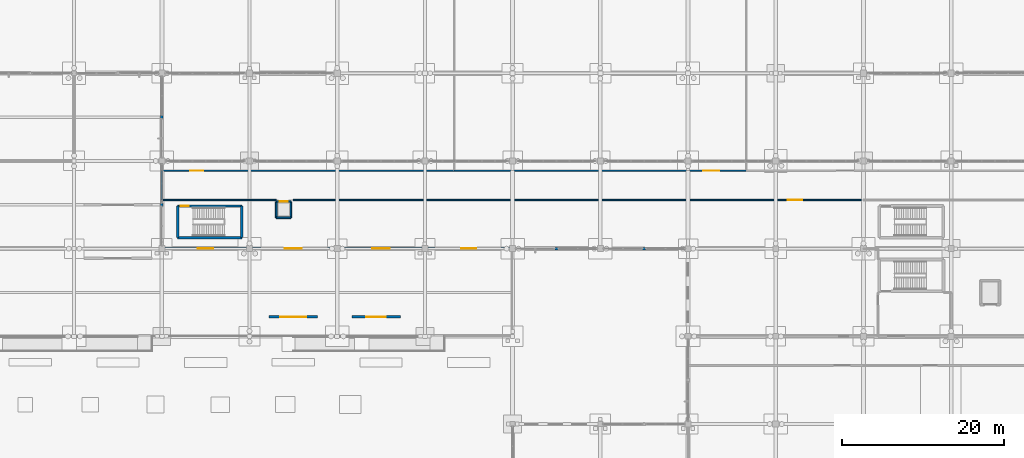
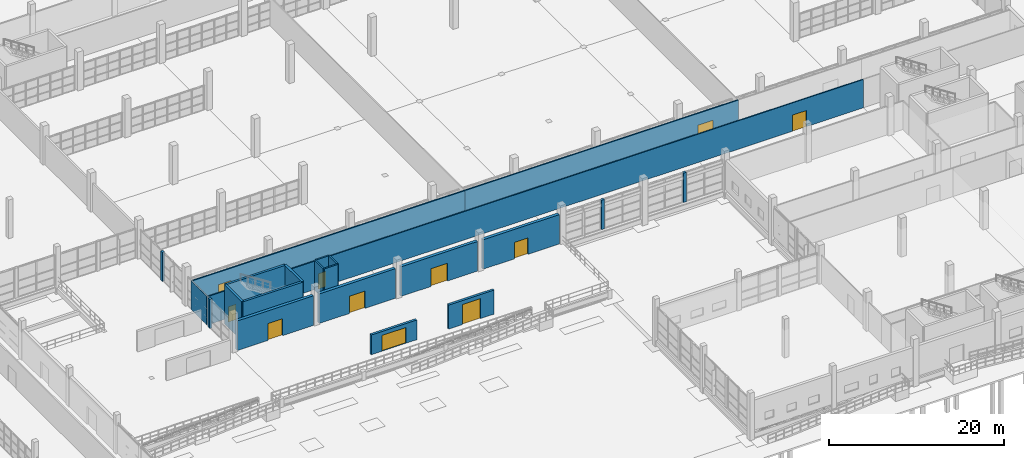
# One storey, part 101 of 138: 23 walls, 11 doors, 11 openings.
"""IFC4 building model written with IfcOpenShell, lengths in metres."""

from ifc_helpers import new_model, si_unit, direction, frame, frame_2d, origin, place, context, subcontext, project, spatial, rectangle, extrude, material, layer, layer_set, type_object, element, fill, save


model = new_model("IFC4")

# Units and contexts
model_context = context("Model", 3, precision=1e-05, world=origin(), true_north=direction((0.0, 1.0)))
body_context = subcontext(model_context, "Body", "Model", "MODEL_VIEW")
ifc_project = project(units=[si_unit("LENGTHUNIT", "METRE"), si_unit("AREAUNIT", "SQUARE_METRE"), si_unit("VOLUMEUNIT", "CUBIC_METRE"), si_unit("PLANEANGLEUNIT", "RADIAN"), si_unit("MASSUNIT", "GRAM", prefix="KILO")], contexts=[model_context])

# Site, building, storey
site_placement = place(None, origin())
site = spatial("IfcSite", under=ifc_project, at=site_placement, CompositionType="ELEMENT")
building_placement = place(site_placement, origin())
building = spatial("IfcBuilding", under=site, at=building_placement, Name="Zwinboog Wholesale Market", CompositionType="ELEMENT")
storey_placement = place(building_placement, origin())
storey = spatial("IfcBuildingStorey", under=building, at=storey_placement, Name="L00", CompositionType="ELEMENT", Elevation=0.0)

# Wall, opening, door
ifc_material_1 = material(Name="Precast concrete C45/55", Category="concrete")
ifc_layer_1 = layer(ifc_material_1, 0.389892578125)
ifc_layer_set_1 = layer_set([ifc_layer_1], Name="Precast concrete C45/55")
wall_type_1 = type_object("IfcWallType", Name="WT-EW-390", PredefinedType="STANDARD", material=ifc_layer_set_1)
wall_1_placement = place(storey_placement, frame((65.169921875, 43.199951171875, 0.0), z_axis=(0.0, 0.0, 1.0), x_axis=(1.0, 0.0, 0.0)))
wall_1 = element("IfcWall", 1, at=wall_1_placement, inside=storey, type_object=wall_type_1, Name="EW-02 (WL-EW-L00-031)", PredefinedType="STANDARD", context=body_context, shape_type="SweptSolid", body=[
    extrude(rectangle(XDim=10.06005859375, YDim=0.389892578125, at=frame_2d((5.030029296875, 0.0))), origin(), (0.0, 0.0, 1.0), 4.125),
])
opening_1_placement = place(wall_1_placement, frame((4.070068359375, 0.0, 0.0)))
opening_1 = element("IfcOpeningElement", 2, at=opening_1_placement, cuts=wall_1, Name="Opening EX-05", PredefinedType="OPENING", context=body_context, shape_type="SweptSolid", body=[
    extrude(rectangle(XDim=1.919921875, YDim=2.35009765625, at=frame_2d((0.9599609375, 1.175048828125))), frame((0.0, 0.204833984375, 0.0), z_axis=(0.0, -1.0, 0.0), x_axis=(1.0, 0.0, 0.0)), (0.0, 0.0, 1.0), 0.409912109375),
])
ifc_material_2 = material(Name="Insulated powder-coated steel and aluminium door", Category="steel")
door_type_1 = type_object("IfcDoorType", Name="EDT-EX-192", OperationType="DOUBLE_DOOR_SINGLE_SWING", PredefinedType="DOOR", material=ifc_material_2)
door_1_placement = place(opening_1_placement, frame((1.919921875, 0.0, 0.0), z_axis=(0.0, 0.0, 1.0), x_axis=(-1.0, 0.0, 0.0)))
door_1 = element("IfcDoor", 3, at=door_1_placement, inside=storey, type_object=door_type_1, Name="Pedestrian Exit Door EX-05", OperationType="DOUBLE_DOOR_SINGLE_SWING", OverallHeight=2.35009765625, OverallWidth=1.919921875, PredefinedType="DOOR", context=body_context, shape_type="SweptSolid", body=[
    extrude(rectangle(XDim=1.919921875, YDim=2.35009765625, at=frame_2d((0.9599609375, 1.175048828125))), frame((0.0, 0.02490234375, 0.0), z_axis=(0.0, -1.0, 0.0), x_axis=(1.0, 0.0, 0.0)), (0.0, 0.0, 1.0), 0.050048828125),
])
fill(opening_1, door_1)

wall_2_placement = place(storey_placement, frame((75.969970703125, 43.199951171875, 0.0), z_axis=(0.0, 0.0, 1.0), x_axis=(1.0, 0.0, 0.0)))
wall_2 = element("IfcWall", 4, at=wall_2_placement, inside=storey, type_object=wall_type_1, Name="EW-02 (WL-EW-L00-035)", PredefinedType="STANDARD", context=body_context, shape_type="SweptSolid", body=[
    extrude(rectangle(XDim=10.06005859375, YDim=0.389892578125, at=frame_2d((5.030029296875, 0.0))), origin(), (0.0, 0.0, 1.0), 4.125),
])
opening_2_placement = place(wall_2_placement, frame((4.0, 0.0, 0.0)))
opening_2 = element("IfcOpeningElement", 5, at=opening_2_placement, cuts=wall_2, Name="Opening EX-06", PredefinedType="OPENING", context=body_context, shape_type="SweptSolid", body=[
    extrude(rectangle(XDim=2.06005859375, YDim=2.39990234375, at=frame_2d((1.030029296875, 1.199951171875))), frame((0.0, 0.204833984375, 0.0), z_axis=(0.0, -1.0, 0.0), x_axis=(1.0, 0.0, 0.0)), (0.0, 0.0, 1.0), 0.409912109375),
])
door_type_2 = type_object("IfcDoorType", Name="EDT-EX-206", OperationType="DOUBLE_DOOR_SINGLE_SWING", PredefinedType="DOOR", material=ifc_material_2)
door_2_placement = place(opening_2_placement, frame((2.06005859375, 0.0, 0.0), z_axis=(0.0, 0.0, 1.0), x_axis=(-1.0, 0.0, 0.0)))
door_2 = element("IfcDoor", 6, at=door_2_placement, inside=storey, type_object=door_type_2, Name="Pedestrian Exit Door EX-06", OperationType="DOUBLE_DOOR_SINGLE_SWING", OverallHeight=2.39990234375, OverallWidth=2.06005859375, PredefinedType="DOOR", context=body_context, shape_type="SweptSolid", body=[
    extrude(rectangle(XDim=2.06005859375, YDim=2.39990234375, at=frame_2d((1.030029296875, 1.199951171875))), frame((0.0, 0.02490234375, 0.0), z_axis=(0.0, -1.0, 0.0), x_axis=(1.0, 0.0, 0.0)), (0.0, 0.0, 1.0), 0.050048828125),
])
fill(opening_2, door_2)

wall_3_placement = place(storey_placement, frame((86.77001953125, 43.199951171875, 0.0), z_axis=(0.0, 0.0, 1.0), x_axis=(1.0, 0.0, 0.0)))
wall_3 = element("IfcWall", 7, at=wall_3_placement, inside=storey, type_object=wall_type_1, Name="EW-02 (WL-EW-L00-037)", PredefinedType="STANDARD", context=body_context, shape_type="SweptSolid", body=[
    extrude(rectangle(XDim=10.06005859375, YDim=0.389892578125, at=frame_2d((5.030029296875, 0.0))), origin(), (0.0, 0.0, 1.0), 4.125),
])
opening_3_placement = place(wall_3_placement, frame((3.929931640625, 0.0, 0.0)))
opening_3 = element("IfcOpeningElement", 8, at=opening_3_placement, cuts=wall_3, Name="Opening EX-07", PredefinedType="OPENING", context=body_context, shape_type="SweptSolid", body=[
    extrude(rectangle(XDim=2.199951171875, YDim=2.47998046875, at=frame_2d((1.10009765625, 1.239990234375))), frame((0.0, 0.204833984375, 0.0), z_axis=(0.0, -1.0, 0.0), x_axis=(1.0, 0.0, 0.0)), (0.0, 0.0, 1.0), 0.409912109375),
])
door_type_3 = type_object("IfcDoorType", Name="EDT-EX-220", OperationType="DOUBLE_DOOR_SINGLE_SWING", PredefinedType="DOOR", material=ifc_material_2)
door_3_placement = place(opening_3_placement, frame((2.199951171875, 0.0, 0.0), z_axis=(0.0, 0.0, 1.0), x_axis=(-1.0, 0.0, 0.0)))
door_3 = element("IfcDoor", 9, at=door_3_placement, inside=storey, type_object=door_type_3, Name="Pedestrian Exit Door EX-07", OperationType="DOUBLE_DOOR_SINGLE_SWING", OverallHeight=2.47998046875, OverallWidth=2.199951171875, PredefinedType="DOOR", context=body_context, shape_type="SweptSolid", body=[
    extrude(rectangle(XDim=2.199951171875, YDim=2.47998046875, at=frame_2d((1.10009765625, 1.239990234375))), frame((0.0, 0.02490234375, 0.0), z_axis=(0.0, -1.0, 0.0), x_axis=(1.0, 0.0, 0.0)), (0.0, 0.0, 1.0), 0.050048828125),
])
fill(opening_3, door_3)

wall_4_placement = place(storey_placement, frame((97.570068359375, 43.199951171875, 0.0), z_axis=(0.0, 0.0, 1.0), x_axis=(1.0, 0.0, 0.0)))
wall_4 = element("IfcWall", 10, at=wall_4_placement, inside=storey, type_object=wall_type_1, Name="EW-02 (WL-EW-L00-039)", PredefinedType="STANDARD", context=body_context, shape_type="SweptSolid", body=[
    extrude(rectangle(XDim=10.059814453125, YDim=0.389892578125, at=frame_2d((5.02978515625, 0.0))), origin(), (0.0, 0.0, 1.0), 4.097900390625),
])
opening_4_placement = place(wall_4_placement, frame((4.1298828125, 0.0, 0.0)))
opening_4 = element("IfcOpeningElement", 11, at=opening_4_placement, cuts=wall_4, Name="Opening EX-08", PredefinedType="OPENING", context=body_context, shape_type="SweptSolid", body=[
    extrude(rectangle(XDim=1.800048828125, YDim=2.300048828125, at=frame_2d((0.89990234375, 1.14990234375))), frame((0.0, 0.204833984375, 0.0), z_axis=(0.0, -1.0, 0.0), x_axis=(1.0, 0.0, 0.0)), (0.0, 0.0, 1.0), 0.409912109375),
])
door_type_4 = type_object("IfcDoorType", Name="EDT-EX-180", OperationType="DOUBLE_DOOR_SINGLE_SWING", PredefinedType="DOOR", material=ifc_material_2)
door_4_placement = place(opening_4_placement, frame((1.800048828125, 0.0, 0.0), z_axis=(0.0, 0.0, 1.0), x_axis=(-1.0, 0.0, 0.0)))
door_4 = element("IfcDoor", 12, at=door_4_placement, inside=storey, type_object=door_type_4, Name="Pedestrian Exit Door EX-08", OperationType="DOUBLE_DOOR_SINGLE_SWING", OverallHeight=2.300048828125, OverallWidth=1.800048828125, PredefinedType="DOOR", context=body_context, shape_type="SweptSolid", body=[
    extrude(rectangle(XDim=1.800048828125, YDim=2.300048828125, at=frame_2d((0.89990234375, 1.14990234375))), frame((0.0, 0.02490234375, 0.0), z_axis=(0.0, -1.0, 0.0), x_axis=(1.0, 0.0, 0.0)), (0.0, 0.0, 1.0), 0.050048828125),
])
fill(opening_4, door_4)

# Walls
ifc_layer_2 = layer(ifc_material_1, 0.304931640625)
ifc_layer_set_2 = layer_set([ifc_layer_2], Name="Precast concrete C45/55")
wall_type_2 = type_object("IfcWallType", Name="WT-EW-305", PredefinedType="STANDARD", material=ifc_layer_set_2)
for number, where, z_axis, x_axis, name in (
    (13, (64.800048828125, 48.39990234375, 0.0), (0.0, 0.0, 1.0), (0.0, 1.0, 0.0), "EW-07 (WL-PIER-L00-032)"),
    (14, (64.800048828125, 59.199951171875, 0.0), (0.0, 0.0, 1.0), (0.0, 1.0, 0.0), "EW-07 (WL-PIER-L00-033)"),
):
    element("IfcWall", number, at=place(storey_placement, frame(where, z_axis=z_axis, x_axis=x_axis)), inside=storey, type_object=wall_type_2, Name=name, PredefinedType="STANDARD", context=body_context, shape_type="SweptSolid", body=[
        extrude(rectangle(XDim=0.400146484375, YDim=0.304931640625, at=frame_2d((0.2001953125, 0.0))), origin(), (0.0, 0.0, 1.0), 4.02490234375),
    ])
wall_5_placement = place(storey_placement, frame((113.199951171875, 43.199951171875, 0.0), z_axis=(0.0, 0.0, 1.0), x_axis=(1.0, 0.0, 0.0)))
element("IfcWall", 15, at=wall_5_placement, inside=storey, type_object=wall_type_2, Name="EW-07 (WL-PIER-L00-045)", PredefinedType="STANDARD", context=body_context, shape_type="SweptSolid", body=[
    extrude(rectangle(XDim=0.400146484375, YDim=0.304931640625, at=frame_2d((0.2001953125, 0.0))), origin(), (0.0, 0.0, 1.0), 4.097900390625),
])
wall_6_placement = place(storey_placement, frame((124.0, 43.199951171875, 0.0), z_axis=(0.0, 0.0, 1.0), x_axis=(1.0, 0.0, 0.0)))
element("IfcWall", 16, at=wall_6_placement, inside=storey, type_object=wall_type_2, Name="EW-07 (WL-PIER-L00-049)", PredefinedType="STANDARD", context=body_context, shape_type="SweptSolid", body=[
    extrude(rectangle(XDim=0.39990234375, YDim=0.304931640625, at=frame_2d((0.199951171875, 0.0))), origin(), (0.0, 0.0, 1.0), 4.097900390625),
])

# Wall, opening, door
wall_7_placement = place(storey_placement, frame((78.0, 34.800048828125, 0.0), z_axis=(0.0, 0.0, 1.0), x_axis=(1.0, 0.0, 0.0)))
wall_7 = element("IfcWall", 17, at=wall_7_placement, inside=storey, type_object=wall_type_2, Name="EW-07 (WL-YGT-03)", PredefinedType="STANDARD", context=body_context, shape_type="SweptSolid", body=[
    extrude(rectangle(XDim=6.0, YDim=0.304931640625, at=frame_2d((3.0, 0.0))), origin(), (0.0, 0.0, 1.0), 2.75),
])
opening_5_placement = place(wall_7_placement, frame((1.39990234375, 0.0, 0.0)))
opening_5 = element("IfcOpeningElement", 18, at=opening_5_placement, cuts=wall_7, Name="Opening GT-03", PredefinedType="OPENING", context=body_context, shape_type="SweptSolid", body=[
    extrude(rectangle(XDim=3.199951171875, YDim=2.199951171875, at=frame_2d((1.60009765625, 1.10009765625))), frame((0.0, 0.162353515625, 0.0), z_axis=(0.0, -1.0, 0.0), x_axis=(1.0, 0.0, 0.0)), (0.0, 0.0, 1.0), 0.324951171875),
])
door_type_5 = type_object("IfcDoorType", Name="EDT-GT-320", OperationType="DOUBLE_DOOR_SINGLE_SWING", PredefinedType="GATE", material=ifc_material_2)
door_5_placement = place(opening_5_placement, origin())
door_5 = element("IfcDoor", 19, at=door_5_placement, inside=storey, type_object=door_type_5, Name="South Promenade Gate GT-03", OperationType="DOUBLE_DOOR_SINGLE_SWING", OverallHeight=2.199951171875, OverallWidth=3.199951171875, PredefinedType="GATE", context=body_context, shape_type="SweptSolid", body=[
    extrude(rectangle(XDim=3.199951171875, YDim=2.199951171875, at=frame_2d((1.60009765625, 1.10009765625))), frame((0.0, 0.02490234375, 0.0), z_axis=(0.0, -1.0, 0.0), x_axis=(1.0, 0.0, 0.0)), (0.0, 0.0, 1.0), 0.050048828125),
])
fill(opening_5, door_5)

wall_8_placement = place(storey_placement, frame((88.199951171875, 34.800048828125, 0.0), z_axis=(0.0, 0.0, 1.0), x_axis=(1.0, 0.0, 0.0)))
wall_8 = element("IfcWall", 20, at=wall_8_placement, inside=storey, type_object=wall_type_2, Name="EW-07 (WL-YGT-06)", PredefinedType="STANDARD", context=body_context, shape_type="SweptSolid", body=[
    extrude(rectangle(XDim=6.0, YDim=0.304931640625, at=frame_2d((3.0, 0.0))), origin(), (0.0, 0.0, 1.0), 3.35009765625),
])
opening_6_placement = place(wall_8_placement, frame((1.800048828125, 0.0, 0.0)))
opening_6 = element("IfcOpeningElement", 21, at=opening_6_placement, cuts=wall_8, Name="Opening PS-01", PredefinedType="OPENING", context=body_context, shape_type="SweptSolid", body=[
    extrude(rectangle(XDim=2.39990234375, YDim=2.800048828125, at=frame_2d((1.199951171875, 1.39990234375))), frame((0.0, 0.162353515625, 0.0), z_axis=(0.0, -1.0, 0.0), x_axis=(1.0, 0.0, 0.0)), (0.0, 0.0, 1.0), 0.324951171875),
])
door_type_6 = type_object("IfcDoorType", Name="EDT-PL-240", OperationType="ROLLINGUP", PredefinedType="USERDEFINED", material=ifc_material_2)
door_6_placement = place(opening_6_placement, origin())
door_6 = element("IfcDoor", 22, at=door_6_placement, inside=storey, type_object=door_type_6, Name="Market Kiosk Shutter PS-01", ObjectType="SECTIONAL_SHUTTER", OperationType="ROLLINGUP", OverallHeight=2.800048828125, OverallWidth=2.39990234375, PredefinedType="USERDEFINED", context=body_context, shape_type="SweptSolid", body=[
    extrude(rectangle(XDim=2.39990234375, YDim=2.800048828125, at=frame_2d((1.199951171875, 1.39990234375))), frame((0.0, 0.02490234375, 0.0), z_axis=(0.0, -1.0, 0.0), x_axis=(1.0, 0.0, 0.0)), (0.0, 0.0, 1.0), 0.050048828125),
])
fill(opening_6, door_6)

# Wall
ifc_material_3 = material(Name="Concrete C40/50", Category="concrete")
ifc_layer_3 = layer(ifc_material_3, 0.300048828125)
ifc_layer_set_3 = layer_set([ifc_layer_3], Name="Concrete C40/50")
wall_type_3 = type_object("IfcWallType", Name="WT-SW-300", PredefinedType="SHEAR", material=ifc_layer_set_3)
wall_9_placement = place(storey_placement, frame((66.75, 44.550048828125, 0.0), z_axis=(0.0, 0.0, 1.0), x_axis=(1.0, 0.0, 0.0)))
element("IfcWall", 23, at=wall_9_placement, inside=storey, type_object=wall_type_3, Name="SW-02 (WL-SW-L00-041)", PredefinedType="SHEAR", context=body_context, shape_type="SweptSolid", body=[
    extrude(rectangle(XDim=7.89990234375, YDim=0.300048828125, at=frame_2d((3.949951171875, 0.0))), origin(), (0.0, 0.0, 1.0), 5.39990234375),
])

# Wall, opening, door
wall_10_placement = place(storey_placement, frame((66.75, 48.449951171875, 0.0), z_axis=(0.0, 0.0, 1.0), x_axis=(1.0, 0.0, 0.0)))
wall_10 = element("IfcWall", 24, at=wall_10_placement, inside=storey, type_object=wall_type_3, Name="SW-02 (WL-SW-L00-042)", PredefinedType="SHEAR", context=body_context, shape_type="SweptSolid", body=[
    extrude(rectangle(XDim=7.89990234375, YDim=0.300048828125, at=frame_2d((3.949951171875, 0.0))), origin(), (0.0, 0.0, 1.0), 5.39990234375),
])
opening_7_placement = place(wall_10_placement, frame((0.3798828125, 0.0, 0.0)))
opening_7 = element("IfcOpeningElement", 25, at=opening_7_placement, cuts=wall_10, Name="Opening FD-0011", PredefinedType="OPENING", context=body_context, shape_type="SweptSolid", body=[
    extrude(rectangle(XDim=1.0, YDim=2.14990234375, at=frame_2d((0.5, 1.074951171875))), frame((0.0, 0.159912109375, 0.0), z_axis=(0.0, -1.0, 0.0), x_axis=(1.0, 0.0, 0.0)), (0.0, 0.0, 1.0), 0.320068359375),
])
ifc_material_4 = material(Name="Timber and powder-coated steel door leaf", Category="steel")
door_type_7 = type_object("IfcDoorType", Name="IDT-FD-01", OperationType="NOTDEFINED", PredefinedType="DOOR", material=ifc_material_4)
door_7_placement = place(opening_7_placement, frame((1.0, 0.0, 0.0), z_axis=(0.0, 0.0, 1.0), x_axis=(-1.0, 0.0, 0.0)))
door_7 = element("IfcDoor", 26, at=door_7_placement, inside=storey, type_object=door_type_7, Name="Core Fire Door FD-0011", OperationType="SINGLE_SWING_RIGHT", OverallHeight=2.14990234375, OverallWidth=1.0, PredefinedType="DOOR", context=body_context, shape_type="SweptSolid", body=[
    extrude(rectangle(XDim=1.0, YDim=2.14990234375, at=frame_2d((0.5, 1.074951171875))), frame((0.0, 0.02490234375, 0.0), z_axis=(0.0, -1.0, 0.0), x_axis=(1.0, 0.0, 0.0)), (0.0, 0.0, 1.0), 0.050048828125),
])
fill(opening_7, door_7)

# Walls
for number, where, z_axis, x_axis, name in (
    (27, (66.75, 44.550048828125, 0.0), (0.0, 0.0, 1.0), (0.0, 1.0, 0.0), "SW-02 (WL-SW-L00-043)"),
    (28, (74.64990234375, 44.550048828125, 0.0), (0.0, 0.0, 1.0), (0.0, 1.0, 0.0), "SW-02 (WL-SW-L00-044)"),
):
    element("IfcWall", number, at=place(storey_placement, frame(where, z_axis=z_axis, x_axis=x_axis)), inside=storey, type_object=wall_type_3, Name=name, PredefinedType="SHEAR", context=body_context, shape_type="SweptSolid", body=[
        extrude(rectangle(XDim=3.89990234375, YDim=0.300048828125, at=frame_2d((1.949951171875, 0.0))), origin(), (0.0, 0.0, 1.0), 5.39990234375),
    ])
ifc_layer_4 = layer(ifc_material_1, 0.199951171875)
ifc_layer_set_4 = layer_set([ifc_layer_4], Name="Precast concrete C45/55")
wall_type_4 = type_object("IfcWallType", Name="WT-IW-200", PredefinedType="SOLIDWALL", material=ifc_layer_set_4)
wall_11_placement = place(storey_placement, frame((78.89990234375, 47.0, 0.0), z_axis=(0.0, 0.0, 1.0), x_axis=(1.0, 0.0, 0.0)))
element("IfcWall", 29, at=wall_11_placement, inside=storey, type_object=wall_type_4, Name="IW-60 (WL-LSH-L00-185)", PredefinedType="SOLIDWALL", context=body_context, shape_type="SweptSolid", body=[
    extrude(rectangle(XDim=1.800048828125, YDim=0.199951171875, at=frame_2d((0.89990234375, 0.0))), origin(), (0.0, 0.0, 1.0), 4.219970703125),
])

# Wall, opening, door
wall_12_placement = place(storey_placement, frame((78.89990234375, 49.0, 0.0), z_axis=(0.0, 0.0, 1.0), x_axis=(1.0, 0.0, 0.0)))
wall_12 = element("IfcWall", 30, at=wall_12_placement, inside=storey, type_object=wall_type_4, Name="IW-60 (WL-LSH-L00-186)", PredefinedType="SOLIDWALL", context=body_context, shape_type="SweptSolid", body=[
    extrude(rectangle(XDim=1.800048828125, YDim=0.199951171875, at=frame_2d((0.89990234375, 0.0))), origin(), (0.0, 0.0, 1.0), 4.219970703125),
])
opening_8_placement = place(wall_12_placement, frame((0.39990234375, 0.0, 0.0)))
opening_8 = element("IfcOpeningElement", 31, at=opening_8_placement, cuts=wall_12, Name="Opening LD-005", PredefinedType="OPENING", context=body_context, shape_type="SweptSolid", body=[
    extrude(rectangle(XDim=1.0, YDim=2.14990234375, at=frame_2d((0.5, 1.074951171875))), frame((0.0, 0.10986328125, 0.0), z_axis=(0.0, -1.0, 0.0), x_axis=(1.0, 0.0, 0.0)), (0.0, 0.0, 1.0), 0.219970703125),
])
door_type_8 = type_object("IfcDoorType", Name="IDT-LD-100", OperationType="DOUBLE_DOOR_SLIDING", PredefinedType="DOOR", material=ifc_material_4)
door_8_placement = place(opening_8_placement, origin())
door_8 = element("IfcDoor", 32, at=door_8_placement, inside=storey, type_object=door_type_8, Name="Lift Landing Door LD-005 (LP-03)", OperationType="DOUBLE_DOOR_SLIDING", OverallHeight=2.14990234375, OverallWidth=1.0, PredefinedType="DOOR", context=body_context, shape_type="SweptSolid", body=[
    extrude(rectangle(XDim=1.0, YDim=2.14990234375, at=frame_2d((0.5, 1.074951171875))), frame((0.0, 0.02490234375, 0.0), z_axis=(0.0, -1.0, 0.0), x_axis=(1.0, 0.0, 0.0)), (0.0, 0.0, 1.0), 0.050048828125),
])
fill(opening_8, door_8)

# Walls
for number, where, z_axis, x_axis, name in (
    (33, (78.89990234375, 47.0, 0.0), (0.0, 0.0, 1.0), (0.0, 1.0, 0.0), "IW-60 (WL-LSH-L00-187)"),
    (34, (80.699951171875, 47.0, 0.0), (0.0, 0.0, 1.0), (0.0, 1.0, 0.0), "IW-60 (WL-LSH-L00-188)"),
):
    element("IfcWall", number, at=place(storey_placement, frame(where, z_axis=z_axis, x_axis=x_axis)), inside=storey, type_object=wall_type_4, Name=name, PredefinedType="SOLIDWALL", context=body_context, shape_type="SweptSolid", body=[
        extrude(rectangle(XDim=2.0, YDim=0.199951171875, at=frame_2d((1.0, 0.0))), origin(), (0.0, 0.0, 1.0), 4.219970703125),
    ])

# Wall, opening, door
ifc_material_5 = material(Name="Fire-rated corridor stud partition")
ifc_layer_5 = layer(ifc_material_5, 0.154052734375)
ifc_layer_set_5 = layer_set([ifc_layer_5], Name="Fire-rated corridor stud partition")
wall_type_5 = type_object("IfcWallType", Name="WT-PT-154", PredefinedType="PARTITIONING", material=ifc_layer_set_5)
wall_13_placement = place(storey_placement, frame((81.0, 49.199951171875, 0.0), z_axis=(0.0, 0.0, 1.0), x_axis=(1.0, 0.0, 0.0)))
wall_13 = element("IfcWall", 35, at=wall_13_placement, inside=storey, type_object=wall_type_5, Name="PW-04 (WL-IN-L00-0023)", PredefinedType="PARTITIONING", context=body_context, shape_type="SweptSolid", body=[
    extrude(rectangle(XDim=70.199951171875, YDim=0.154052734375, at=frame_2d((35.10009765625, 0.0))), origin(), (0.0, 0.0, 1.0), 3.949951171875),
])
opening_9_placement = place(wall_13_placement, frame((60.865966796875, 0.0, 0.0)))
opening_9 = element("IfcOpeningElement", 36, at=opening_9_placement, cuts=wall_13, Name="Opening IDF-0022", PredefinedType="OPENING", context=body_context, shape_type="SweptSolid", body=[
    extrude(rectangle(XDim=1.820068359375, YDim=2.25, at=frame_2d((0.91015625, 1.125))), frame((0.0, 0.0869140625, 0.0), z_axis=(0.0, -1.0, 0.0), x_axis=(1.0, 0.0, 0.0)), (0.0, 0.0, 1.0), 0.174072265625),
])
door_type_9 = type_object("IfcDoorType", Name="IDT-FD-04", OperationType="DOUBLE_DOOR_SINGLE_SWING", PredefinedType="DOOR", material=ifc_material_4)
door_9_placement = place(opening_9_placement, origin())
door_9 = element("IfcDoor", 37, at=door_9_placement, inside=storey, type_object=door_type_9, Name="Interior Door IDF-0022", OperationType="DOUBLE_DOOR_SINGLE_SWING", OverallHeight=2.25, OverallWidth=1.820068359375, PredefinedType="DOOR", context=body_context, shape_type="SweptSolid", body=[
    extrude(rectangle(XDim=1.820068359375, YDim=2.25, at=frame_2d((0.91015625, 1.125))), frame((0.0, 0.02490234375, 0.0), z_axis=(0.0, -1.0, 0.0), x_axis=(1.0, 0.0, 0.0)), (0.0, 0.0, 1.0), 0.050048828125),
])
fill(opening_9, door_9)

wall_14_placement = place(storey_placement, frame((100.800048828125, 52.800048828125, 0.0), z_axis=(0.0, 0.0, 1.0), x_axis=(1.0, 0.0, 0.0)))
wall_14 = element("IfcWall", 38, at=wall_14_placement, inside=storey, type_object=wall_type_5, Name="PW-04 (WL-IN-L00-0025)", PredefinedType="PARTITIONING", context=body_context, shape_type="SweptSolid", body=[
    extrude(rectangle(XDim=36.0, YDim=0.154052734375, at=frame_2d((18.0, 0.0))), origin(), (0.0, 0.0, 1.0), 3.949951171875),
])
opening_10_placement = place(wall_14_placement, frame((30.699951171875, 0.0, 0.0)))
opening_10 = element("IfcOpeningElement", 39, at=opening_10_placement, cuts=wall_14, Name="Opening IDF-0024", PredefinedType="OPENING", context=body_context, shape_type="SweptSolid", body=[
    extrude(rectangle(XDim=1.9599609375, YDim=2.300048828125, at=frame_2d((0.97998046875, 1.14990234375))), frame((0.0, 0.0869140625, 0.0), z_axis=(0.0, -1.0, 0.0), x_axis=(1.0, 0.0, 0.0)), (0.0, 0.0, 1.0), 0.174072265625),
])
door_type_10 = type_object("IfcDoorType", Name="IDT-FD-05", OperationType="DOUBLE_DOOR_SINGLE_SWING", PredefinedType="DOOR", material=ifc_material_4)
door_10_placement = place(opening_10_placement, frame((1.9599609375, 0.0, 0.0), z_axis=(0.0, 0.0, 1.0), x_axis=(-1.0, 0.0, 0.0)))
door_10 = element("IfcDoor", 40, at=door_10_placement, inside=storey, type_object=door_type_10, Name="Interior Door IDF-0024", OperationType="DOUBLE_DOOR_SINGLE_SWING", OverallHeight=2.300048828125, OverallWidth=1.9599609375, PredefinedType="DOOR", context=body_context, shape_type="SweptSolid", body=[
    extrude(rectangle(XDim=1.9599609375, YDim=2.300048828125, at=frame_2d((0.97998046875, 1.14990234375))), frame((0.0, 0.02490234375, 0.0), z_axis=(0.0, -1.0, 0.0), x_axis=(1.0, 0.0, 0.0)), (0.0, 0.0, 1.0), 0.050048828125),
])
fill(opening_10, door_10)

# Wall
wall_15_placement = place(storey_placement, frame((64.800048828125, 49.199951171875, 0.0), z_axis=(0.0, 0.0, 1.0), x_axis=(0.0, 1.0, 0.0)))
element("IfcWall", 41, at=wall_15_placement, inside=storey, type_object=wall_type_5, Name="PW-04 (WL-IN-L00-0071)", PredefinedType="PARTITIONING", context=body_context, shape_type="SweptSolid", body=[
    extrude(rectangle(XDim=3.60009765625, YDim=0.154052734375, at=frame_2d((1.800048828125, 0.0))), origin(), (0.0, 0.0, 1.0), 3.949951171875),
])

# Wall, opening, door
ifc_material_6 = material(Name="Laboratory acoustic partition")
ifc_layer_6 = layer(ifc_material_6, 0.16796875)
ifc_layer_set_6 = layer_set([ifc_layer_6], Name="Laboratory acoustic partition")
wall_type_6 = type_object("IfcWallType", Name="WT-PT-168", PredefinedType="PARTITIONING", material=ifc_layer_set_6)
wall_16_placement = place(storey_placement, frame((64.800048828125, 52.800048828125, 0.0), z_axis=(0.0, 0.0, 1.0), x_axis=(1.0, 0.0, 0.0)))
wall_16 = element("IfcWall", 42, at=wall_16_placement, inside=storey, type_object=wall_type_6, Name="PW-05 (WL-IN-L00-0020)", PredefinedType="PARTITIONING", context=body_context, shape_type="SweptSolid", body=[
    extrude(rectangle(XDim=36.0, YDim=0.16796875, at=frame_2d((18.0, 0.0))), origin(), (0.0, 0.0, 1.0), 3.949951171875),
])
opening_11_placement = place(wall_16_placement, frame((3.52001953125, 0.0, 0.0)))
opening_11 = element("IfcOpeningElement", 43, at=opening_11_placement, cuts=wall_16, Name="Opening IDF-0019", PredefinedType="OPENING", context=body_context, shape_type="SweptSolid", body=[
    extrude(rectangle(XDim=1.60009765625, YDim=2.199951171875, at=frame_2d((0.800048828125, 1.10009765625))), frame((0.0, 0.093994140625, 0.0), z_axis=(0.0, -1.0, 0.0), x_axis=(1.0, 0.0, 0.0)), (0.0, 0.0, 1.0), 0.18798828125),
])
door_type_11 = type_object("IfcDoorType", Name="IDT-FD-03", OperationType="DOUBLE_DOOR_SINGLE_SWING", PredefinedType="DOOR", material=ifc_material_4)
door_11_placement = place(opening_11_placement, origin())
door_11 = element("IfcDoor", 44, at=door_11_placement, inside=storey, type_object=door_type_11, Name="Interior Door IDF-0019", OperationType="DOUBLE_DOOR_SINGLE_SWING", OverallHeight=2.199951171875, OverallWidth=1.60009765625, PredefinedType="DOOR", context=body_context, shape_type="SweptSolid", body=[
    extrude(rectangle(XDim=1.60009765625, YDim=2.199951171875, at=frame_2d((0.800048828125, 1.10009765625))), frame((0.0, 0.02490234375, 0.0), z_axis=(0.0, -1.0, 0.0), x_axis=(1.0, 0.0, 0.0)), (0.0, 0.0, 1.0), 0.050048828125),
])
fill(opening_11, door_11)

# Wall
wall_17_placement = place(storey_placement, frame((64.800048828125, 49.199951171875, 0.0), z_axis=(0.0, 0.0, 1.0), x_axis=(1.0, 0.0, 0.0)))
element("IfcWall", 45, at=wall_17_placement, inside=storey, type_object=wall_type_6, Name="PW-05 (WL-IN-L00-0070)", PredefinedType="PARTITIONING", context=body_context, shape_type="SweptSolid", body=[
    extrude(rectangle(XDim=14.079833984375, YDim=0.16796875, at=frame_2d((7.0400390625, 0.0))), origin(), (0.0, 0.0, 1.0), 3.949951171875),
])

save(model, "model.ifc")
